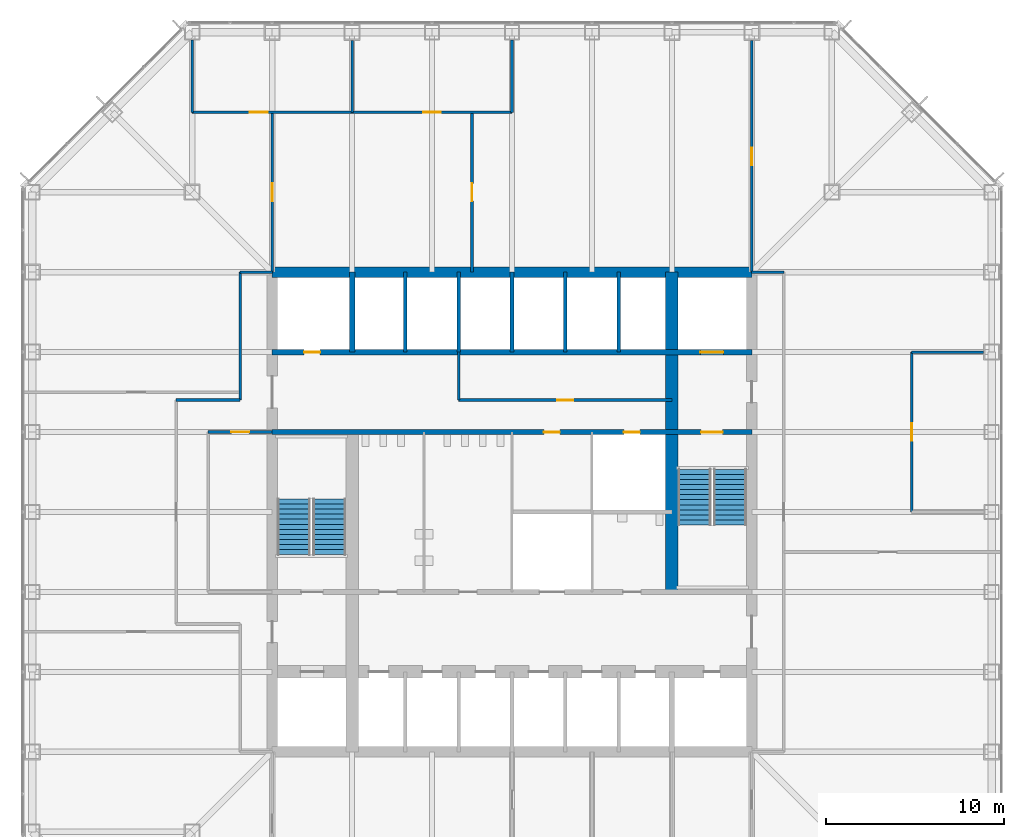
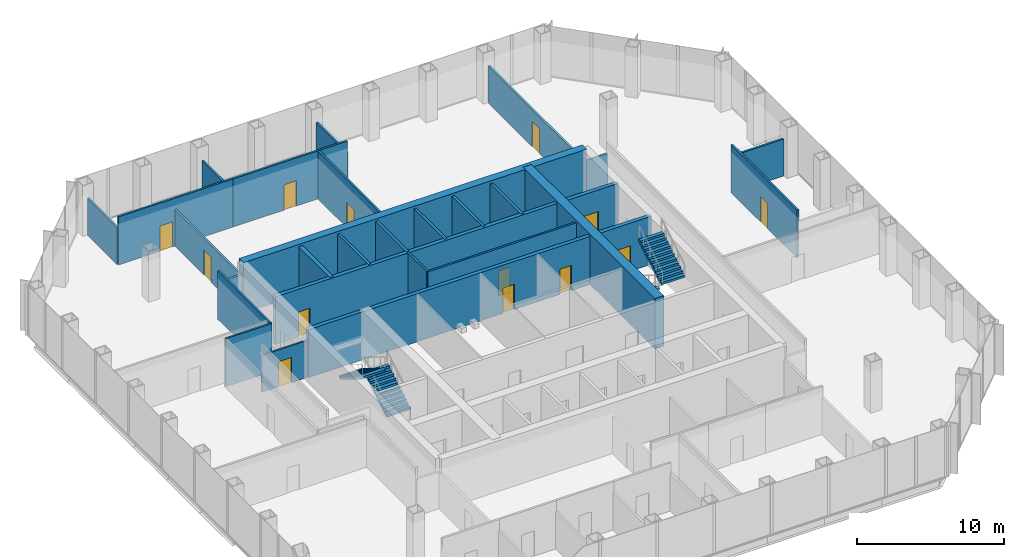
# One storey, part 10 of 12: 27 walls, 13 doors, 4 stair flights, 13 openings, 2 elements without a shape of their own.
"""IFC4 building model written with IfcOpenShell, lengths in metres."""

from ifc_helpers import new_model, si_unit, direction, frame, frame_2d, origin, place, context, subcontext, project, spatial, polyline, rectangle, outline, extrude, material, layer, layer_set, type_object, element, fill, aggregate, save


model = new_model("IFC4")

# Units and contexts
model_context = context("Model", 3, precision=1e-05, world=origin(), true_north=direction((0.0, 1.0)))
body_context = subcontext(model_context, "Body", "Model", "MODEL_VIEW")
ifc_project = project(units=[si_unit("LENGTHUNIT", "METRE"), si_unit("AREAUNIT", "SQUARE_METRE"), si_unit("VOLUMEUNIT", "CUBIC_METRE"), si_unit("PLANEANGLEUNIT", "RADIAN"), si_unit("MASSUNIT", "GRAM", prefix="KILO")], contexts=[model_context])

# Site, building, storey
site_placement = place(None, origin())
site = spatial("IfcSite", under=ifc_project, at=site_placement, CompositionType="ELEMENT")
building_placement = place(site_placement, origin())
building = spatial("IfcBuilding", under=site, at=building_placement, Name="Corais Broadcast Tower", CompositionType="ELEMENT")
storey_placement = place(building_placement, frame((0.0, 0.0, 100.39990234375)))
storey = spatial("IfcBuildingStorey", under=building, at=storey_placement, Name="L22", CompositionType="ELEMENT", Elevation=100.39990234375)

# Wall
ifc_material_1 = material(Name="Concrete blockwork class A, grouted, two-hour", Category="masonry")
ifc_layer_1 = layer(ifc_material_1, 0.300048828125)
ifc_layer_set_1 = layer_set([ifc_layer_1], Name="Concrete blockwork class A, grouted, two-hour")
wall_type_1 = type_object("IfcWallType", Name="Core lobby wall 300", PredefinedType="SOLIDWALL", material=ifc_layer_set_1)
wall_1_placement = place(storey_placement, frame((18.0, 36.0, 0.0), z_axis=(0.0, 0.0, 1.0), x_axis=(0.0, 1.0, 0.0)))
element("IfcWall", 1, at=wall_1_placement, inside=storey, type_object=wall_type_1, Name="CL1 core shaft wall X18B L22", PredefinedType="SOLIDWALL", context=body_context, shape_type="SweptSolid", body=[
    extrude(rectangle(XDim=4.5, YDim=0.300048828125, at=frame_2d((2.25, 0.0))), origin(), (0.0, 0.0, 1.0), 4.0),
])

# Wall, openings, doors
wall_2_placement = place(storey_placement, frame((13.5, 31.5, 0.0), z_axis=(0.0, 0.0, 1.0), x_axis=(1.0, 0.0, 0.0)))
wall_2 = element("IfcWall", 2, at=wall_2_placement, inside=storey, type_object=wall_type_1, Name="CL1 core lobby wall Y315 L22", PredefinedType="SOLIDWALL", context=body_context, shape_type="SweptSolid", body=[
    extrude(rectangle(XDim=27.0, YDim=0.300048828125, at=frame_2d((13.5, 0.0))), origin(), (0.0, 0.0, 1.0), 4.0),
])
opening_1_placement = place(wall_2_placement, frame((24.14990234375, 0.0, 0.0)))
opening_1 = element("IfcOpeningElement", 3, at=opening_1_placement, cuts=wall_2, Name="Opening FD1", PredefinedType="OPENING", context=body_context, shape_type="SweptSolid", body=[
    extrude(rectangle(XDim=1.199951171875, YDim=2.10009765625, at=frame_2d((0.60009765625, 1.050048828125))), frame((0.0, 0.159912109375, 0.0), z_axis=(0.0, -1.0, 0.0), x_axis=(1.0, 0.0, 0.0)), (0.0, 0.0, 1.0), 0.320068359375),
])
opening_2_placement = place(wall_2_placement, frame((15.300048828125, 0.0, 0.0)))
opening_2 = element("IfcOpeningElement", 4, at=opening_2_placement, cuts=wall_2, Name="Opening RD1", PredefinedType="OPENING", context=body_context, shape_type="SweptSolid", body=[
    extrude(rectangle(XDim=0.89990234375, YDim=2.10009765625, at=frame_2d((0.449951171875, 1.050048828125))), frame((0.0, 0.159912109375, 0.0), z_axis=(0.0, -1.0, 0.0), x_axis=(1.0, 0.0, 0.0)), (0.0, 0.0, 1.0), 0.320068359375),
])
opening_3_placement = place(wall_2_placement, frame((19.800048828125, 0.0, 0.0)))
opening_3 = element("IfcOpeningElement", 5, at=opening_3_placement, cuts=wall_2, Name="Opening RD1", PredefinedType="OPENING", context=body_context, shape_type="SweptSolid", body=[
    extrude(rectangle(XDim=0.89990234375, YDim=2.10009765625, at=frame_2d((0.449951171875, 1.050048828125))), frame((0.0, 0.159912109375, 0.0), z_axis=(0.0, -1.0, 0.0), x_axis=(1.0, 0.0, 0.0)), (0.0, 0.0, 1.0), 0.320068359375),
])
ifc_material_2 = material(Name="Steel fire door", Category="steel")
door_type_1 = type_object("IfcDoorType", Name="Fire door 1200x2100", OperationType="SINGLE_SWING_LEFT", PredefinedType="DOOR", material=ifc_material_2)
door_1_placement = place(opening_1_placement, origin())
door_1 = element("IfcDoor", 6, at=door_1_placement, inside=storey, type_object=door_type_1, Name="FD1 stair B door L22", OperationType="SINGLE_SWING_RIGHT", OverallHeight=2.10009765625, OverallWidth=1.199951171875, PredefinedType="DOOR", context=body_context, shape_type="SweptSolid", body=[
    extrude(rectangle(XDim=1.199951171875, YDim=2.10009765625, at=frame_2d((0.60009765625, 1.050048828125))), frame((0.0, 0.02490234375, 0.0), z_axis=(0.0, -1.0, 0.0), x_axis=(1.0, 0.0, 0.0)), (0.0, 0.0, 1.0), 0.050048828125),
])
fill(opening_1, door_1)
ifc_material_3 = material(Name="Steel fire door", Category="steel")
door_type_2 = type_object("IfcDoorType", Name="Riser door 900x2100", OperationType="SINGLE_SWING_LEFT", PredefinedType="DOOR", material=ifc_material_3)
door_2_placement = place(opening_2_placement, origin())
door_2 = element("IfcDoor", 7, at=door_2_placement, inside=storey, type_object=door_type_2, Name="RD1 print room door L22", OperationType="SINGLE_SWING_RIGHT", OverallHeight=2.10009765625, OverallWidth=0.89990234375, PredefinedType="DOOR", context=body_context, shape_type="SweptSolid", body=[
    extrude(rectangle(XDim=0.89990234375, YDim=2.10009765625, at=frame_2d((0.449951171875, 1.050048828125))), frame((0.0, 0.02490234375, 0.0), z_axis=(0.0, -1.0, 0.0), x_axis=(1.0, 0.0, 0.0)), (0.0, 0.0, 1.0), 0.050048828125),
])
fill(opening_2, door_2)
door_3_placement = place(opening_3_placement, origin())
door_3 = element("IfcDoor", 8, at=door_3_placement, inside=storey, type_object=door_type_2, Name="RD1 riser door L22", OperationType="SINGLE_SWING_RIGHT", OverallHeight=2.10009765625, OverallWidth=0.89990234375, PredefinedType="DOOR", context=body_context, shape_type="SweptSolid", body=[
    extrude(rectangle(XDim=0.89990234375, YDim=2.10009765625, at=frame_2d((0.449951171875, 1.050048828125))), frame((0.0, 0.02490234375, 0.0), z_axis=(0.0, -1.0, 0.0), x_axis=(1.0, 0.0, 0.0)), (0.0, 0.0, 1.0), 0.050048828125),
])
fill(opening_3, door_3)

# Walls
ifc_material_4 = material(Name="Concrete C50/60", Category="concrete")
ifc_layer_2 = layer(ifc_material_4, 0.699951171875)
ifc_layer_set_2 = layer_set([ifc_layer_2], Name="Concrete C50/60")
wall_type_2 = type_object("IfcWallType", Name="Core spine wall 700", PredefinedType="SHEAR", material=ifc_layer_set_2)
wall_3_placement = place(storey_placement, frame((36.0, 22.5, 0.0), z_axis=(0.0, 0.0, 1.0), x_axis=(0.0, 1.0, 0.0)))
element("IfcWall", 9, at=wall_3_placement, inside=storey, type_object=wall_type_2, Name="CR700 core wall X36B L22", PredefinedType="SHEAR", context=body_context, shape_type="SweptSolid", body=[
    extrude(rectangle(XDim=18.0, YDim=0.699951171875, at=frame_2d((9.0, 0.0))), origin(), (0.0, 0.0, 1.0), 4.2001953125),
])
ifc_material_5 = material(Name="Concrete C50/60", Category="concrete")
ifc_layer_3 = layer(ifc_material_5, 0.60009765625)
ifc_layer_set_3 = layer_set([ifc_layer_3], Name="Concrete C50/60")
wall_type_3 = type_object("IfcWallType", Name="Core wall 600", PredefinedType="SHEAR", material=ifc_layer_set_3)
wall_4_placement = place(storey_placement, frame((40.5, 40.5, 0.0), z_axis=(0.0, 0.0, 1.0), x_axis=(-1.0, 0.0, 0.0)))
element("IfcWall", 10, at=wall_4_placement, inside=storey, type_object=wall_type_3, Name="CR600 core wall N L22", PredefinedType="SHEAR", context=body_context, shape_type="SweptSolid", body=[
    extrude(rectangle(XDim=27.0, YDim=0.60009765625, at=frame_2d((13.5, 0.0))), origin(), (0.0, 0.0, 1.0), 4.2001953125),
])

# Wall, openings, doors
ifc_material_6 = material(Name="Concrete blockwork class A, grouted, four-hour", Category="masonry")
ifc_layer_4 = layer(ifc_material_6, 0.300048828125)
ifc_layer_set_4 = layer_set([ifc_layer_4], Name="Concrete blockwork class A, grouted, four-hour")
wall_type_4 = type_object("IfcWallType", Name="Emergency lift shaft wall 300", PredefinedType="SOLIDWALL", material=ifc_layer_set_4)
wall_5_placement = place(storey_placement, frame((13.5, 36.0, 0.0), z_axis=(0.0, 0.0, 1.0), x_axis=(1.0, 0.0, 0.0)))
wall_5 = element("IfcWall", 11, at=wall_5_placement, inside=storey, type_object=wall_type_4, Name="LS1 core lobby wall Y36 L22", PredefinedType="SOLIDWALL", context=body_context, shape_type="SweptSolid", body=[
    extrude(rectangle(XDim=27.0, YDim=0.300048828125, at=frame_2d((13.5, 0.0))), origin(), (0.0, 0.0, 1.0), 4.0),
])
opening_4_placement = place(wall_5_placement, frame((1.800048828125, 0.0, 0.0)))
opening_4 = element("IfcOpeningElement", 12, at=opening_4_placement, cuts=wall_5, Name="Opening RD1", PredefinedType="OPENING", context=body_context, shape_type="SweptSolid", body=[
    extrude(rectangle(XDim=0.89990234375, YDim=2.10009765625, at=frame_2d((0.449951171875, 1.050048828125))), frame((0.0, 0.159912109375, 0.0), z_axis=(0.0, -1.0, 0.0), x_axis=(1.0, 0.0, 0.0)), (0.0, 0.0, 1.0), 0.320068359375),
])
opening_5_placement = place(wall_5_placement, frame((24.10009765625, 0.0, 0.0)))
opening_5 = element("IfcOpeningElement", 13, at=opening_5_placement, cuts=wall_5, Name="Opening LD2", PredefinedType="OPENING", context=body_context, shape_type="SweptSolid", body=[
    extrude(rectangle(XDim=1.300048828125, YDim=2.199951171875, at=frame_2d((0.64990234375, 1.10009765625))), frame((0.0, 0.159912109375, 0.0), z_axis=(0.0, -1.0, 0.0), x_axis=(1.0, 0.0, 0.0)), (0.0, 0.0, 1.0), 0.320068359375),
])
ifc_material_7 = material(Name="Stainless steel lift door", Category="steel")
door_type_3 = type_object("IfcDoorType", Name="Lift landing door 1300x2200", OperationType="SLIDING_TO_LEFT", PredefinedType="DOOR", material=ifc_material_7)
door_4_placement = place(opening_5_placement, origin())
door_4 = element("IfcDoor", 14, at=door_4_placement, inside=storey, type_object=door_type_3, Name="LD2 FL2 landing door L22", OperationType="SLIDING_TO_LEFT", OverallHeight=2.199951171875, OverallWidth=1.300048828125, PredefinedType="DOOR", context=body_context, shape_type="SweptSolid", body=[
    extrude(rectangle(XDim=1.300048828125, YDim=2.199951171875, at=frame_2d((0.64990234375, 1.10009765625))), frame((0.0, 0.02490234375, 0.0), z_axis=(0.0, -1.0, 0.0), x_axis=(1.0, 0.0, 0.0)), (0.0, 0.0, 1.0), 0.050048828125),
])
fill(opening_5, door_4)
door_5_placement = place(opening_4_placement, origin())
door_5 = element("IfcDoor", 15, at=door_5_placement, inside=storey, type_object=door_type_2, Name="RD1 riser door L22", OperationType="SINGLE_SWING_LEFT", OverallHeight=2.10009765625, OverallWidth=0.89990234375, PredefinedType="DOOR", context=body_context, shape_type="SweptSolid", body=[
    extrude(rectangle(XDim=0.89990234375, YDim=2.10009765625, at=frame_2d((0.449951171875, 1.050048828125))), frame((0.0, 0.02490234375, 0.0), z_axis=(0.0, -1.0, 0.0), x_axis=(1.0, 0.0, 0.0)), (0.0, 0.0, 1.0), 0.050048828125),
])
fill(opening_4, door_5)

# Wall, opening, door
ifc_material_8 = material(Name="Two layers of fire-rated gypsum board each side on steel studs", Category="steel")
ifc_layer_5 = layer(ifc_material_8, 0.14990234375)
ifc_layer_set_5 = layer_set([ifc_layer_5], Name="Two layers of fire-rated gypsum board each side on steel studs")
wall_type_5 = type_object("IfcWallType", Name="Fire-rated partition 150 EI 60", PredefinedType="PARTITIONING", material=ifc_layer_set_5)
wall_6_placement = place(storey_placement, frame((24.0, 33.300048828125, 0.0), z_axis=(0.0, 0.0, 1.0), x_axis=(1.0, 0.0, 0.0)))
wall_6 = element("IfcWall", 16, at=wall_6_placement, inside=storey, type_object=wall_type_5, Name="IW7 partition L22", PredefinedType="PARTITIONING", context=body_context, shape_type="SweptSolid", body=[
    extrude(rectangle(XDim=12.0, YDim=0.14990234375, at=frame_2d((6.0, 0.0))), origin(), (0.0, 0.0, 1.0), 4.0),
])
opening_6_placement = place(wall_6_placement, frame((5.550048828125, 0.0, 0.0)))
opening_6 = element("IfcOpeningElement", 17, at=opening_6_placement, cuts=wall_6, Name="Opening RD1", PredefinedType="OPENING", context=body_context, shape_type="SweptSolid", body=[
    extrude(rectangle(XDim=0.89990234375, YDim=2.10009765625, at=frame_2d((0.449951171875, 1.050048828125))), frame((0.0, 0.0849609375, 0.0), z_axis=(0.0, -1.0, 0.0), x_axis=(1.0, 0.0, 0.0)), (0.0, 0.0, 1.0), 0.169921875),
])
door_6_placement = place(opening_6_placement, origin())
door_6 = element("IfcDoor", 18, at=door_6_placement, inside=storey, type_object=door_type_2, Name="RD1 wellness room door L22", OperationType="SINGLE_SWING_LEFT", OverallHeight=2.10009765625, OverallWidth=0.89990234375, PredefinedType="DOOR", context=body_context, shape_type="SweptSolid", body=[
    extrude(rectangle(XDim=0.89990234375, YDim=2.10009765625, at=frame_2d((0.449951171875, 1.050048828125))), frame((0.0, 0.02490234375, 0.0), z_axis=(0.0, -1.0, 0.0), x_axis=(1.0, 0.0, 0.0)), (0.0, 0.0, 1.0), 0.050048828125),
])
fill(opening_6, door_6)

# Walls
wall_7_placement = place(storey_placement, frame((24.0, 33.300048828125, 0.0), z_axis=(0.0, 0.0, 1.0), x_axis=(0.0, 1.0, 0.0)))
element("IfcWall", 19, at=wall_7_placement, inside=storey, type_object=wall_type_5, Name="IW7 partition L22", PredefinedType="PARTITIONING", context=body_context, shape_type="SweptSolid", body=[
    extrude(rectangle(XDim=2.699951171875, YDim=0.14990234375, at=frame_2d((1.35009765625, 0.0))), origin(), (0.0, 0.0, 1.0), 4.0),
])
ifc_material_9 = material(Name="Gypsum board on steel studs", Category="steel")
ifc_layer_6 = layer(ifc_material_9, 0.14990234375)
ifc_layer_set_6 = layer_set([ifc_layer_6], Name="Gypsum board on steel studs")
wall_type_6 = type_object("IfcWallType", Name="Partition 150", PredefinedType="PARTITIONING", material=ifc_layer_set_6)
wall_8_placement = place(storey_placement, frame((11.699951171875, 40.5, 0.0), z_axis=(0.0, 0.0, 1.0), x_axis=(0.0, -1.0, 0.0)))
element("IfcWall", 20, at=wall_8_placement, inside=storey, type_object=wall_type_6, Name="IW3 corridor wall L22", PredefinedType="PARTITIONING", context=body_context, shape_type="SweptSolid", body=[
    extrude(rectangle(XDim=7.199951171875, YDim=0.14990234375, at=frame_2d((3.60009765625, 0.0))), origin(), (0.0, 0.0, 1.0), 4.0),
])
wall_9_placement = place(storey_placement, frame((11.699951171875, 33.300048828125, 0.0), z_axis=(0.0, 0.0, 1.0), x_axis=(-1.0, 0.0, 0.0)))
element("IfcWall", 21, at=wall_9_placement, inside=storey, type_object=wall_type_6, Name="IW3 corridor wall L22", PredefinedType="PARTITIONING", context=body_context, shape_type="SweptSolid", body=[
    extrude(rectangle(XDim=3.599853515625, YDim=0.14990234375, at=frame_2d((1.7998046875, 0.0))), origin(), (0.0, 0.0, 1.0), 4.0),
])
for number, where, z_axis, x_axis, name in (
    (22, (13.510009765625, 40.5, 0.0), (0.0, 0.0, 1.0), (-1.0, 0.0, 0.0), "IW3 corridor wall L22"),
    (23, (42.300048828125, 40.5, 0.0), (0.0, 0.0, 1.0), (-1.0, 0.0, 0.0), "IW3 corridor wall L22"),
):
    element("IfcWall", number, at=place(storey_placement, frame(where, z_axis=z_axis, x_axis=x_axis)), inside=storey, type_object=wall_type_6, Name=name, PredefinedType="PARTITIONING", context=body_context, shape_type="SweptSolid", body=[
        extrude(rectangle(XDim=1.81005859375, YDim=0.14990234375, at=frame_2d((0.905029296875, 0.0))), origin(), (0.0, 0.0, 1.0), 3.068115234375),
    ])

# Wall, opening, door
wall_10_placement = place(storey_placement, frame((9.0, 49.5, 0.0), z_axis=(0.0, 0.0, 1.0), x_axis=(1.0, 0.0, 0.0)))
wall_10 = element("IfcWall", 24, at=wall_10_placement, inside=storey, type_object=wall_type_6, Name="IW3 partition L22", PredefinedType="PARTITIONING", context=body_context, shape_type="SweptSolid", body=[
    extrude(rectangle(XDim=9.0, YDim=0.14990234375, at=frame_2d((4.5, 0.0))), origin(), (0.0, 0.0, 1.0), 4.0),
])
opening_7_placement = place(wall_10_placement, frame((3.25, 0.0, 0.0)))
opening_7 = element("IfcOpeningElement", 25, at=opening_7_placement, cuts=wall_10, Name="Opening D1", PredefinedType="OPENING", context=body_context, shape_type="SweptSolid", body=[
    extrude(rectangle(XDim=1.0, YDim=2.10009765625, at=frame_2d((0.5, 1.050048828125))), frame((0.0, 0.0849609375, 0.0), z_axis=(0.0, -1.0, 0.0), x_axis=(1.0, 0.0, 0.0)), (0.0, 0.0, 1.0), 0.169921875),
])
ifc_material_10 = material(Name="Timber door", Category="wood")
door_type_4 = type_object("IfcDoorType", Name="Single door 1000x2100", OperationType="SINGLE_SWING_LEFT", PredefinedType="DOOR", material=ifc_material_10)
door_7_placement = place(opening_7_placement, origin())
door_7 = element("IfcDoor", 26, at=door_7_placement, inside=storey, type_object=door_type_4, Name="D1 Academy conference room door", OperationType="SINGLE_SWING_LEFT", OverallHeight=2.10009765625, OverallWidth=1.0, PredefinedType="DOOR", context=body_context, shape_type="SweptSolid", body=[
    extrude(rectangle(XDim=1.0, YDim=2.10009765625, at=frame_2d((0.5, 1.050048828125))), frame((0.0, 0.02490234375, 0.0), z_axis=(0.0, -1.0, 0.0), x_axis=(1.0, 0.0, 0.0)), (0.0, 0.0, 1.0), 0.050048828125),
])
fill(opening_7, door_7)

# Walls
wall_11_placement = place(storey_placement, frame((18.0, 49.5, 0.0), z_axis=(0.0, 0.0, 1.0), x_axis=(0.0, 1.0, 0.0)))
element("IfcWall", 27, at=wall_11_placement, inside=storey, type_object=wall_type_6, Name="IW3 partition L22", PredefinedType="PARTITIONING", context=body_context, shape_type="SweptSolid", body=[
    extrude(rectangle(XDim=4.0400390625, YDim=0.14990234375, at=frame_2d((2.02001953125, 0.0))), origin(), (0.0, 0.0, 1.0), 3.068115234375),
])
wall_12_placement = place(storey_placement, frame((9.0, 53.56494140625, 0.0), z_axis=(0.0, 0.0, 1.0), x_axis=(0.0, -1.0, 0.0)))
element("IfcWall", 28, at=wall_12_placement, inside=storey, type_object=wall_type_6, Name="IW3 partition L22", PredefinedType="PARTITIONING", context=body_context, shape_type="SweptSolid", body=[
    extrude(rectangle(XDim=4.06494140625, YDim=0.14990234375, at=frame_2d((2.032470703125, 0.0))), origin(), (0.0, 0.0, 1.0), 3.072998046875),
])

# Wall, opening, door
wall_13_placement = place(storey_placement, frame((18.0, 49.5, 0.0), z_axis=(0.0, 0.0, 1.0), x_axis=(1.0, 0.0, 0.0)))
wall_13 = element("IfcWall", 29, at=wall_13_placement, inside=storey, type_object=wall_type_6, Name="IW3 partition L22", PredefinedType="PARTITIONING", context=body_context, shape_type="SweptSolid", body=[
    extrude(rectangle(XDim=9.0, YDim=0.14990234375, at=frame_2d((4.5, 0.0))), origin(), (0.0, 0.0, 1.0), 4.0),
])
opening_8_placement = place(wall_13_placement, frame((4.0, 0.0, 0.0)))
opening_8 = element("IfcOpeningElement", 30, at=opening_8_placement, cuts=wall_13, Name="Opening D1", PredefinedType="OPENING", context=body_context, shape_type="SweptSolid", body=[
    extrude(rectangle(XDim=1.0, YDim=2.10009765625, at=frame_2d((0.5, 1.050048828125))), frame((0.0, 0.0849609375, 0.0), z_axis=(0.0, -1.0, 0.0), x_axis=(1.0, 0.0, 0.0)), (0.0, 0.0, 1.0), 0.169921875),
])
door_8_placement = place(opening_8_placement, origin())
door_8 = element("IfcDoor", 31, at=door_8_placement, inside=storey, type_object=door_type_4, Name="D1 Academy conference room door", OperationType="SINGLE_SWING_LEFT", OverallHeight=2.10009765625, OverallWidth=1.0, PredefinedType="DOOR", context=body_context, shape_type="SweptSolid", body=[
    extrude(rectangle(XDim=1.0, YDim=2.10009765625, at=frame_2d((0.5, 1.050048828125))), frame((0.0, 0.02490234375, 0.0), z_axis=(0.0, -1.0, 0.0), x_axis=(1.0, 0.0, 0.0)), (0.0, 0.0, 1.0), 0.050048828125),
])
fill(opening_8, door_8)

# Wall
wall_14_placement = place(storey_placement, frame((27.0, 49.5, 0.0), z_axis=(0.0, 0.0, 1.0), x_axis=(0.0, 1.0, 0.0)))
element("IfcWall", 32, at=wall_14_placement, inside=storey, type_object=wall_type_6, Name="IW3 partition L22", PredefinedType="PARTITIONING", context=body_context, shape_type="SweptSolid", body=[
    extrude(rectangle(XDim=4.06494140625, YDim=0.14990234375, at=frame_2d((2.032470703125, 0.0))), origin(), (0.0, 0.0, 1.0), 3.05810546875),
])

# Wall, opening, door
wall_15_placement = place(storey_placement, frame((13.5, 31.5, 0.0), z_axis=(0.0, 0.0, 1.0), x_axis=(-1.0, 0.0, 0.0)))
wall_15 = element("IfcWall", 33, at=wall_15_placement, inside=storey, type_object=wall_type_6, Name="IW3 partition L22", PredefinedType="PARTITIONING", context=body_context, shape_type="SweptSolid", body=[
    extrude(rectangle(XDim=3.60009765625, YDim=0.14990234375, at=frame_2d((1.800048828125, 0.0))), origin(), (0.0, 0.0, 1.0), 3.068115234375),
])
opening_9_placement = place(wall_15_placement, frame((1.300048828125, 0.0, 0.0)))
opening_9 = element("IfcOpeningElement", 34, at=opening_9_placement, cuts=wall_15, Name="Opening D1", PredefinedType="OPENING", context=body_context, shape_type="SweptSolid", body=[
    extrude(rectangle(XDim=1.0, YDim=2.10009765625, at=frame_2d((0.5, 1.050048828125))), frame((0.0, 0.0849609375, 0.0), z_axis=(0.0, -1.0, 0.0), x_axis=(1.0, 0.0, 0.0)), (0.0, 0.0, 1.0), 0.169921875),
])
door_9_placement = place(opening_9_placement, origin())
door_9 = element("IfcDoor", 35, at=door_9_placement, inside=storey, type_object=door_type_4, Name="D1 Pantry door", OperationType="SINGLE_SWING_LEFT", OverallHeight=2.10009765625, OverallWidth=1.0, PredefinedType="DOOR", context=body_context, shape_type="SweptSolid", body=[
    extrude(rectangle(XDim=1.0, YDim=2.10009765625, at=frame_2d((0.5, 1.050048828125))), frame((0.0, 0.02490234375, 0.0), z_axis=(0.0, -1.0, 0.0), x_axis=(1.0, 0.0, 0.0)), (0.0, 0.0, 1.0), 0.050048828125),
])
fill(opening_9, door_9)

# Wall
wall_16_placement = place(storey_placement, frame((53.5400390625, 36.0, 0.0), z_axis=(0.0, 0.0, 1.0), x_axis=(-1.0, 0.0, 0.0)))
element("IfcWall", 36, at=wall_16_placement, inside=storey, type_object=wall_type_6, Name="IW3 partition L22", PredefinedType="PARTITIONING", context=body_context, shape_type="SweptSolid", body=[
    extrude(rectangle(XDim=4.0400390625, YDim=0.14990234375, at=frame_2d((2.02001953125, 0.0))), origin(), (0.0, 0.0, 1.0), 3.068115234375),
])

# Wall, opening, door
wall_17_placement = place(storey_placement, frame((49.5, 36.0, 0.0), z_axis=(0.0, 0.0, 1.0), x_axis=(0.0, -1.0, 0.0)))
wall_17 = element("IfcWall", 37, at=wall_17_placement, inside=storey, type_object=wall_type_6, Name="IW3 partition L22", PredefinedType="PARTITIONING", context=body_context, shape_type="SweptSolid", body=[
    extrude(rectangle(XDim=9.0, YDim=0.14990234375, at=frame_2d((4.5, 0.0))), origin(), (0.0, 0.0, 1.0), 4.0),
])
opening_10_placement = place(wall_17_placement, frame((4.0, 0.0, 0.0)))
opening_10 = element("IfcOpeningElement", 38, at=opening_10_placement, cuts=wall_17, Name="Opening D1", PredefinedType="OPENING", context=body_context, shape_type="SweptSolid", body=[
    extrude(rectangle(XDim=1.0, YDim=2.10009765625, at=frame_2d((0.5, 1.050048828125))), frame((0.0, 0.0849609375, 0.0), z_axis=(0.0, -1.0, 0.0), x_axis=(1.0, 0.0, 0.0)), (0.0, 0.0, 1.0), 0.169921875),
])
door_10_placement = place(opening_10_placement, origin())
door_10 = element("IfcDoor", 39, at=door_10_placement, inside=storey, type_object=door_type_4, Name="D1 Student lounge door", OperationType="SINGLE_SWING_LEFT", OverallHeight=2.10009765625, OverallWidth=1.0, PredefinedType="DOOR", context=body_context, shape_type="SweptSolid", body=[
    extrude(rectangle(XDim=1.0, YDim=2.10009765625, at=frame_2d((0.5, 1.050048828125))), frame((0.0, 0.02490234375, 0.0), z_axis=(0.0, -1.0, 0.0), x_axis=(1.0, 0.0, 0.0)), (0.0, 0.0, 1.0), 0.050048828125),
])
fill(opening_10, door_10)

wall_18_placement = place(storey_placement, frame((40.5, 53.530029296875, 0.0), z_axis=(0.0, 0.0, 1.0), x_axis=(0.0, -1.0, 0.0)))
wall_18 = element("IfcWall", 40, at=wall_18_placement, inside=storey, type_object=wall_type_6, Name="IW3 partition L22", PredefinedType="PARTITIONING", context=body_context, shape_type="SweptSolid", body=[
    extrude(rectangle(XDim=13.030029296875, YDim=0.14990234375, at=frame_2d((6.51513671875, 0.0))), origin(), (0.0, 0.0, 1.0), 3.068115234375),
])
opening_11_placement = place(wall_18_placement, frame((6.014892578125, 0.0, 0.0)))
opening_11 = element("IfcOpeningElement", 41, at=opening_11_placement, cuts=wall_18, Name="Opening D1", PredefinedType="OPENING", context=body_context, shape_type="SweptSolid", body=[
    extrude(rectangle(XDim=1.0, YDim=2.10009765625, at=frame_2d((0.5, 1.050048828125))), frame((0.0, 0.0849609375, 0.0), z_axis=(0.0, -1.0, 0.0), x_axis=(1.0, 0.0, 0.0)), (0.0, 0.0, 1.0), 0.169921875),
])
door_11_placement = place(opening_11_placement, origin())
door_11 = element("IfcDoor", 42, at=door_11_placement, inside=storey, type_object=door_type_4, Name="D1 team room door L22", OperationType="SINGLE_SWING_LEFT", OverallHeight=2.10009765625, OverallWidth=1.0, PredefinedType="DOOR", context=body_context, shape_type="SweptSolid", body=[
    extrude(rectangle(XDim=1.0, YDim=2.10009765625, at=frame_2d((0.5, 1.050048828125))), frame((0.0, 0.02490234375, 0.0), z_axis=(0.0, -1.0, 0.0), x_axis=(1.0, 0.0, 0.0)), (0.0, 0.0, 1.0), 0.050048828125),
])
fill(opening_11, door_11)

wall_19_placement = place(storey_placement, frame((24.75, 40.5, 0.0), z_axis=(0.0, 0.0, 1.0), x_axis=(0.0, 1.0, 0.0)))
wall_19 = element("IfcWall", 43, at=wall_19_placement, inside=storey, type_object=wall_type_6, Name="IW3 partition L22", PredefinedType="PARTITIONING", context=body_context, shape_type="SweptSolid", body=[
    extrude(rectangle(XDim=9.0, YDim=0.14990234375, at=frame_2d((4.5, 0.0))), origin(), (0.0, 0.0, 1.0), 4.0),
])
opening_12_placement = place(wall_19_placement, frame((4.0, 0.0, 0.0)))
opening_12 = element("IfcOpeningElement", 44, at=opening_12_placement, cuts=wall_19, Name="Opening D1", PredefinedType="OPENING", context=body_context, shape_type="SweptSolid", body=[
    extrude(rectangle(XDim=1.0, YDim=2.10009765625, at=frame_2d((0.5, 1.050048828125))), frame((0.0, 0.0849609375, 0.0), z_axis=(0.0, -1.0, 0.0), x_axis=(1.0, 0.0, 0.0)), (0.0, 0.0, 1.0), 0.169921875),
])
door_12_placement = place(opening_12_placement, origin())
door_12 = element("IfcDoor", 45, at=door_12_placement, inside=storey, type_object=door_type_4, Name="D1 team room door L22", OperationType="SINGLE_SWING_LEFT", OverallHeight=2.10009765625, OverallWidth=1.0, PredefinedType="DOOR", context=body_context, shape_type="SweptSolid", body=[
    extrude(rectangle(XDim=1.0, YDim=2.10009765625, at=frame_2d((0.5, 1.050048828125))), frame((0.0, 0.02490234375, 0.0), z_axis=(0.0, -1.0, 0.0), x_axis=(1.0, 0.0, 0.0)), (0.0, 0.0, 1.0), 0.050048828125),
])
fill(opening_12, door_12)

wall_20_placement = place(storey_placement, frame((13.5, 49.5, 0.0), z_axis=(0.0, 0.0, 1.0), x_axis=(0.0, -1.0, 0.0)))
wall_20 = element("IfcWall", 46, at=wall_20_placement, inside=storey, type_object=wall_type_6, Name="IW3 partition L22", PredefinedType="PARTITIONING", context=body_context, shape_type="SweptSolid", body=[
    extrude(rectangle(XDim=9.0, YDim=0.14990234375, at=frame_2d((4.5, 0.0))), origin(), (0.0, 0.0, 1.0), 3.068115234375),
])
opening_13_placement = place(wall_20_placement, frame((4.0, 0.0, 0.0)))
opening_13 = element("IfcOpeningElement", 47, at=opening_13_placement, cuts=wall_20, Name="Opening D1", PredefinedType="OPENING", context=body_context, shape_type="SweptSolid", body=[
    extrude(rectangle(XDim=1.0, YDim=2.10009765625, at=frame_2d((0.5, 1.050048828125))), frame((0.0, 0.0849609375, 0.0), z_axis=(0.0, -1.0, 0.0), x_axis=(1.0, 0.0, 0.0)), (0.0, 0.0, 1.0), 0.169921875),
])
door_13_placement = place(opening_13_placement, origin())
door_13 = element("IfcDoor", 48, at=door_13_placement, inside=storey, type_object=door_type_4, Name="D1 team room door L22", OperationType="SINGLE_SWING_LEFT", OverallHeight=2.10009765625, OverallWidth=1.0, PredefinedType="DOOR", context=body_context, shape_type="SweptSolid", body=[
    extrude(rectangle(XDim=1.0, YDim=2.10009765625, at=frame_2d((0.5, 1.050048828125))), frame((0.0, 0.02490234375, 0.0), z_axis=(0.0, -1.0, 0.0), x_axis=(1.0, 0.0, 0.0)), (0.0, 0.0, 1.0), 0.050048828125),
])
fill(opening_13, door_13)

# Walls
ifc_material_11 = material(Name="Concrete blockwork class A, grouted, two-hour", Category="masonry")
ifc_layer_7 = layer(ifc_material_11, 0.199951171875)
ifc_layer_set_7 = layer_set([ifc_layer_7], Name="Concrete blockwork class A, grouted, two-hour")
wall_type_7 = type_object("IfcWallType", Name="Shaft wall 200", PredefinedType="PARTITIONING", material=ifc_layer_set_7)
for number, where, z_axis, x_axis, name in (
    (49, (21.0, 36.0, 0.0), (0.0, 0.0, 1.0), (0.0, 1.0, 0.0), "IW1 shaft wall L22"),
    (50, (24.0, 36.0, 0.0), (0.0, 0.0, 1.0), (0.0, 1.0, 0.0), "IW1 shaft wall L22"),
    (51, (27.0, 36.0, 0.0), (0.0, 0.0, 1.0), (0.0, 1.0, 0.0), "IW1 shaft wall L22"),
    (52, (30.0, 36.0, 0.0), (0.0, 0.0, 1.0), (0.0, 1.0, 0.0), "IW1 shaft wall L22"),
    (53, (33.0, 36.0, 0.0), (0.0, 0.0, 1.0), (0.0, 1.0, 0.0), "IW1 shaft wall L22"),
):
    element("IfcWall", number, at=place(storey_placement, frame(where, z_axis=z_axis, x_axis=x_axis)), inside=storey, type_object=wall_type_7, Name=name, PredefinedType="PARTITIONING", context=body_context, shape_type="SweptSolid", body=[
        extrude(rectangle(XDim=4.5, YDim=0.199951171875, at=frame_2d((2.25, 0.0))), origin(), (0.0, 0.0, 1.0), 4.0),
    ])

# Stair, stair flights
ifc_material_12 = material(Name="Concrete C30/37", Category="concrete")
stair_type = type_object("IfcStairType", Name="Half-turn stair 4200", PredefinedType="HALF_TURN_STAIR", material=ifc_material_12)
stair_1_placement = place(storey_placement, origin())
stair_1 = element("IfcStair", 54, at=stair_1_placement, inside=storey, type_object=stair_type, Name="Stair A L22", PredefinedType="HALF_TURN_STAIR")
ifc_material_13 = material(Name="Concrete C30/37", Category="concrete")
stair_flight_type = type_object("IfcStairFlightType", Name="Stair flight 4200", PredefinedType="STRAIGHT", material=ifc_material_13)
stair_flight_1_placement = place(storey_placement, frame((16.72509765625, 24.60009765625, 0.0), z_axis=(0.0, 0.0, 1.0), x_axis=(0.0, 1.0, 0.0)))
stair_flight_1 = element("IfcStairFlight", 55, at=stair_flight_1_placement, type_object=stair_flight_type, Name="STA flight 1", NumberOfRisers=12, NumberOfTreads=11, PredefinedType="STRAIGHT", RiserHeight=0.175, TreadLength=0.285, context=body_context, shape_type="SweptSolid", body=[
    extrude(outline(polyline([(0.0, 0.0), (0.0, 0.175048828125), (0.284912109375, 0.175048828125), (0.284912109375, 0.35009765625), (0.570068359375, 0.35009765625), (0.570068359375, 0.52490234375), (0.85498046875, 0.52490234375), (0.85498046875, 0.699951171875), (1.139892578125, 0.699951171875), (1.139892578125, 0.875), (1.425048828125, 0.875), (1.425048828125, 1.050048828125), (1.7099609375, 1.050048828125), (1.7099609375, 1.22509765625), (1.9951171875, 1.22509765625), (1.9951171875, 1.39990234375), (2.280029296875, 1.39990234375), (2.280029296875, 1.574951171875), (2.56494140625, 1.574951171875), (2.56494140625, 1.75), (2.85009765625, 1.75), (2.85009765625, 1.925048828125), (3.135009765625, 1.925048828125), (3.135009765625, 2.10009765625), (3.135009765625, 1.7490234375), (0.286376953125, 0.0), (0.0, 0.0)])), frame((0.0, 0.925048828125, 0.0), z_axis=(0.0, -1.0, 0.0), x_axis=(1.0, 0.0, 0.0)), (0.0, 0.0, 1.0), 1.85009765625),
])
stair_flight_2_placement = place(storey_placement, frame((14.72509765625, 27.735107421875, 2.10009765625), z_axis=(0.0, 0.0, 1.0), x_axis=(0.0, -1.0, 0.0)))
stair_flight_2 = element("IfcStairFlight", 56, at=stair_flight_2_placement, type_object=stair_flight_type, Name="STA flight 2", NumberOfRisers=12, NumberOfTreads=11, PredefinedType="STRAIGHT", RiserHeight=0.175, TreadLength=0.285, context=body_context, shape_type="SweptSolid", body=[
    extrude(outline(polyline([(0.0, 0.0), (0.0, 0.175048828125), (0.284912109375, 0.175048828125), (0.284912109375, 0.35009765625), (0.570068359375, 0.35009765625), (0.570068359375, 0.52490234375), (0.85498046875, 0.52490234375), (0.85498046875, 0.699951171875), (1.139892578125, 0.699951171875), (1.139892578125, 0.875), (1.425048828125, 0.875), (1.425048828125, 1.050048828125), (1.7099609375, 1.050048828125), (1.7099609375, 1.22509765625), (1.9951171875, 1.22509765625), (1.9951171875, 1.39990234375), (2.280029296875, 1.39990234375), (2.280029296875, 1.574951171875), (2.56494140625, 1.574951171875), (2.56494140625, 1.75), (2.85009765625, 1.75), (2.85009765625, 1.925048828125), (3.135009765625, 1.925048828125), (3.135009765625, 2.10009765625), (3.135009765625, 1.7490234375), (0.286376953125, 0.0), (0.0, 0.0)])), frame((0.0, 0.925048828125, 0.0), z_axis=(0.0, -1.0, 0.0), x_axis=(1.0, 0.0, 0.0)), (0.0, 0.0, 1.0), 1.85009765625),
])
aggregate(stair_1, [stair_flight_1, stair_flight_2])

stair_2_placement = place(storey_placement, origin())
stair_2 = element("IfcStair", 57, at=stair_2_placement, inside=storey, type_object=stair_type, Name="Stair B L22", PredefinedType="HALF_TURN_STAIR")
stair_flight_3_placement = place(storey_placement, frame((37.27490234375, 29.39990234375, 0.0), z_axis=(0.0, 0.0, 1.0), x_axis=(0.0, -1.0, 0.0)))
stair_flight_3 = element("IfcStairFlight", 58, at=stair_flight_3_placement, type_object=stair_flight_type, Name="STB flight 1", NumberOfRisers=12, NumberOfTreads=11, PredefinedType="STRAIGHT", RiserHeight=0.175, TreadLength=0.285, context=body_context, shape_type="SweptSolid", body=[
    extrude(outline(polyline([(0.0, 0.0), (0.0, 0.175048828125), (0.284912109375, 0.175048828125), (0.284912109375, 0.35009765625), (0.570068359375, 0.35009765625), (0.570068359375, 0.52490234375), (0.85498046875, 0.52490234375), (0.85498046875, 0.699951171875), (1.139892578125, 0.699951171875), (1.139892578125, 0.875), (1.425048828125, 0.875), (1.425048828125, 1.050048828125), (1.7099609375, 1.050048828125), (1.7099609375, 1.22509765625), (1.9951171875, 1.22509765625), (1.9951171875, 1.39990234375), (2.280029296875, 1.39990234375), (2.280029296875, 1.574951171875), (2.56494140625, 1.574951171875), (2.56494140625, 1.75), (2.85009765625, 1.75), (2.85009765625, 1.925048828125), (3.135009765625, 1.925048828125), (3.135009765625, 2.10009765625), (3.135009765625, 1.7490234375), (0.286376953125, 0.0), (0.0, 0.0)])), frame((0.0, 0.925048828125, 0.0), z_axis=(0.0, -1.0, 0.0), x_axis=(1.0, 0.0, 0.0)), (0.0, 0.0, 1.0), 1.85009765625),
])
stair_flight_4_placement = place(storey_placement, frame((39.27490234375, 26.264892578125, 2.10009765625), z_axis=(0.0, 0.0, 1.0), x_axis=(0.0, 1.0, 0.0)))
stair_flight_4 = element("IfcStairFlight", 59, at=stair_flight_4_placement, type_object=stair_flight_type, Name="STB flight 2", NumberOfRisers=12, NumberOfTreads=11, PredefinedType="STRAIGHT", RiserHeight=0.175, TreadLength=0.285, context=body_context, shape_type="SweptSolid", body=[
    extrude(outline(polyline([(0.0, 0.0), (0.0, 0.175048828125), (0.284912109375, 0.175048828125), (0.284912109375, 0.35009765625), (0.570068359375, 0.35009765625), (0.570068359375, 0.52490234375), (0.85498046875, 0.52490234375), (0.85498046875, 0.699951171875), (1.139892578125, 0.699951171875), (1.139892578125, 0.875), (1.425048828125, 0.875), (1.425048828125, 1.050048828125), (1.7099609375, 1.050048828125), (1.7099609375, 1.22509765625), (1.9951171875, 1.22509765625), (1.9951171875, 1.39990234375), (2.280029296875, 1.39990234375), (2.280029296875, 1.574951171875), (2.56494140625, 1.574951171875), (2.56494140625, 1.75), (2.85009765625, 1.75), (2.85009765625, 1.925048828125), (3.135009765625, 1.925048828125), (3.135009765625, 2.10009765625), (3.135009765625, 1.7490234375), (0.286376953125, 0.0), (0.0, 0.0)])), frame((0.0, 0.925048828125, 0.0), z_axis=(0.0, -1.0, 0.0), x_axis=(1.0, 0.0, 0.0)), (0.0, 0.0, 1.0), 1.85009765625),
])
aggregate(stair_2, [stair_flight_3, stair_flight_4])

save(model, "model.ifc")
